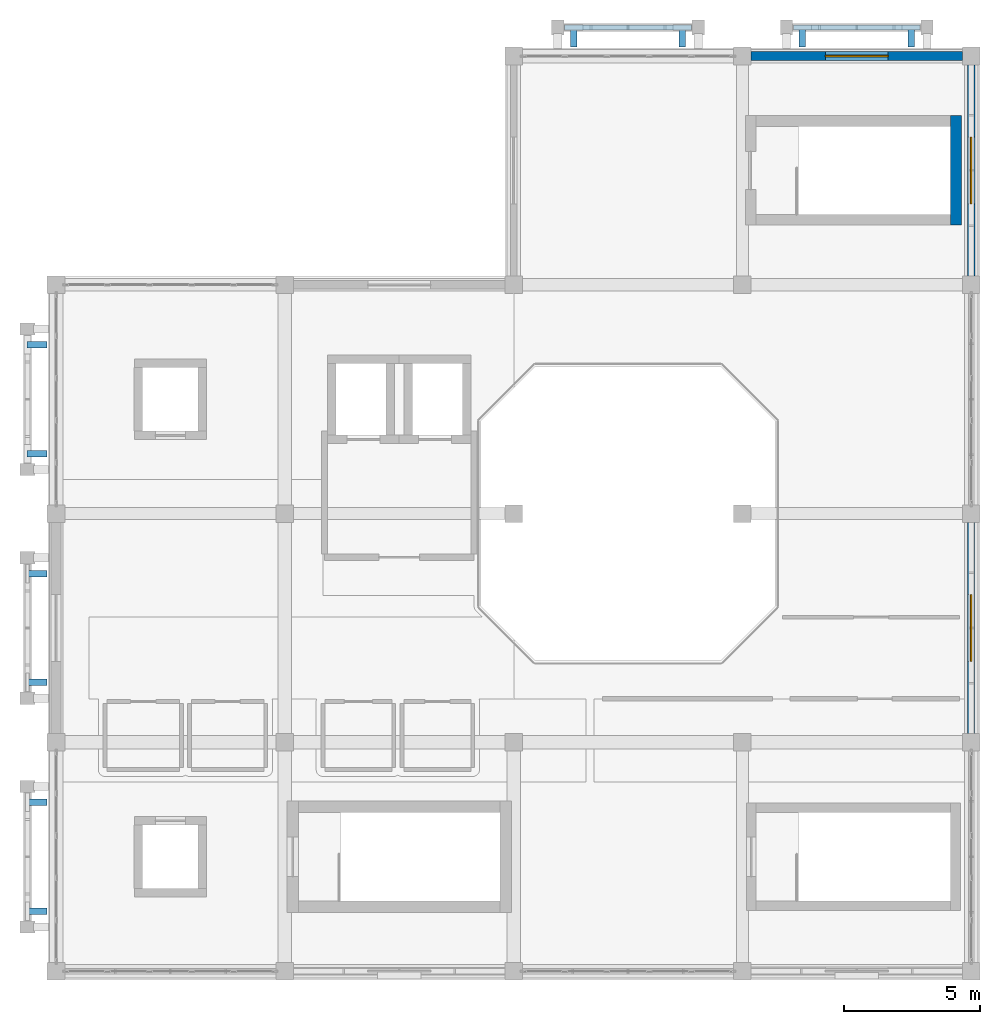
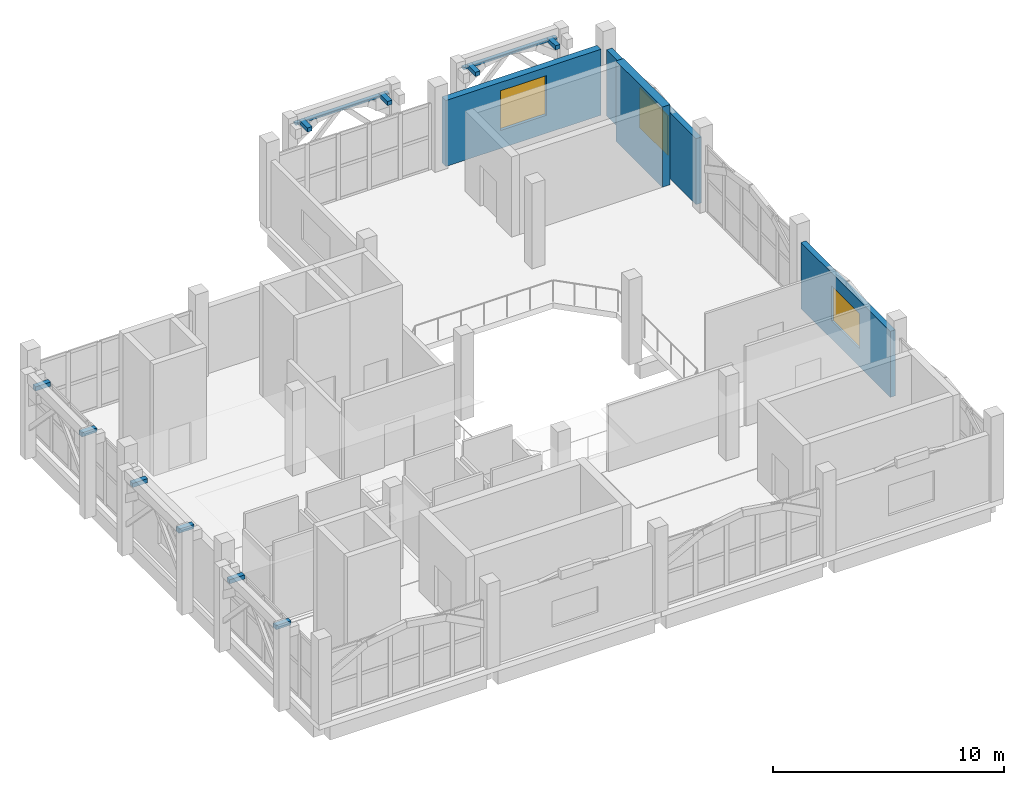
# One storey, part 15 of 16: 10 discrete accessories, 6 walls, 3 windows, 3 openings.
"""IFC4 building model written with IfcOpenShell, lengths in metres."""

import ifcopenshell
import ifcopenshell.guid

model = None  # the IFC model being written
_history = None  # IfcOwnerHistory: only IFC2X3 demands one
_inside = {}  # id of a spatial element -> (the spatial element, [elements in it])
_under = {}  # id of a project, library or spatial element -> (it, [spatial elements below it])
_declared = {}  # id of a project -> (the project, [libraries it declares])
_typed = {}  # id of a type object -> (the type object, [elements of that type])
_made_of = {}  # id of a material, layer set ... -> (it, [elements and type objects made of it])


def new_model(schema):
    """Start an empty IFC model of exactly this schema.

    Asked for "IFC4X3", IfcOpenShell would pick the latest addendum, in which some entities
    have other attributes; the version numbers below select the first issue.
    IFC2X3 requires an IfcOwnerHistory on every rooted entity: one is made here for all.
    """
    global model, _history
    if schema == "IFC4X3":
        model = ifcopenshell.file(schema_version=(4, 3, 0, 0))
    else:
        model = ifcopenshell.file(schema=schema)
    _inside.clear()
    _under.clear()
    _declared.clear()
    _typed.clear()
    _made_of.clear()
    _history = None
    if model.schema == "IFC2X3":
        org = make("IfcOrganization", Name="unknown")
        user = make(
            "IfcPersonAndOrganization",
            ThePerson=make("IfcPerson", FamilyName="unknown"),
            TheOrganization=org,
        )
        app = make(
            "IfcApplication",
            ApplicationDeveloper=org,
            Version="unknown",
            ApplicationFullName="unknown",
            ApplicationIdentifier="unknown",
        )
        _history = make(
            "IfcOwnerHistory",
            OwningUser=user,
            OwningApplication=app,
            ChangeAction="ADDED",
            CreationDate=0,
        )
    return model


def make(cls, **values):
    """One entity of the class cls with the attributes given. An attribute that is None is left unset."""
    return model.create_entity(
        cls, **{name: value for name, value in values.items() if value is not None}
    )


def rooted(cls, **values):
    """An entity with a GlobalId (a new one), such as an element, a storey or a relation."""
    return make(cls, GlobalId=ifcopenshell.guid.new(), OwnerHistory=_history, **values)


def si_unit(unit_type, name, prefix=None):
    """IfcSIUnit, for example si_unit("LENGTHUNIT", "METRE", prefix="MILLI")."""
    return make("IfcSIUnit", UnitType=unit_type, Prefix=prefix, Name=name)


def assignment(units):
    """IfcUnitAssignment: the units of a project."""
    return None if units is None else make("IfcUnitAssignment", Units=units)


def point(xyz):
    """IfcCartesianPoint."""
    return None if xyz is None else make("IfcCartesianPoint", Coordinates=xyz)


def direction(xyz):
    """IfcDirection."""
    return None if xyz is None else make("IfcDirection", DirectionRatios=xyz)


def frame(location, z_axis=None, x_axis=None):
    """IfcAxis2Placement3D, a coordinate frame: its origin and axes. An axis left out is left unset."""
    return make(
        "IfcAxis2Placement3D",
        Location=point(location),
        Axis=direction(z_axis),
        RefDirection=direction(x_axis),
    )


def frame_2d(location, x_axis=None):
    """IfcAxis2Placement2D, a coordinate frame in the plane: its origin and x axis."""
    return make(
        "IfcAxis2Placement2D", Location=point(location), RefDirection=direction(x_axis)
    )


def origin():
    """The frame at (0, 0, 0) with its axes left unset."""
    return frame((0.0, 0.0, 0.0))


def origin_2d():
    """The frame at (0, 0) in the plane with its x axis left unset."""
    return frame_2d((0.0, 0.0))


def place(relative_to, where):
    """IfcLocalPlacement: puts the frame where relative to a parent placement (None: the world)."""
    return make(
        "IfcLocalPlacement", PlacementRelTo=relative_to, RelativePlacement=where
    )


def context(
    kind, dimensions, precision=None, world=None, true_north=None, identifier=None
):
    """IfcGeometricRepresentationContext, for example the 3D "Model" context."""
    return make(
        "IfcGeometricRepresentationContext",
        ContextIdentifier=identifier,
        ContextType=kind,
        CoordinateSpaceDimension=dimensions,
        Precision=precision,
        WorldCoordinateSystem=world,
        TrueNorth=true_north,
    )


def subcontext(parent, identifier, kind, view, scale=None):
    """IfcGeometricRepresentationSubContext, for example "Body" below "Model"."""
    return make(
        "IfcGeometricRepresentationSubContext",
        ContextIdentifier=identifier,
        ContextType=kind,
        ParentContext=parent,
        TargetScale=scale,
        TargetView=view,
    )


def project(units=None, contexts=None):
    """IfcProject with its units and contexts."""
    return rooted(
        "IfcProject",
        Name="project",
        RepresentationContexts=contexts,
        UnitsInContext=assignment(units),
    )


def spatial(cls, under=None, at=None, **own):
    """A site, building, storey or space (cls), placed at a placement, below another one or the project."""
    s = rooted(cls, ObjectPlacement=at, **own)
    if under is not None:
        _under.setdefault(under.id(), (under, []))[1].append(s)
    return s


def profile(cls, at=None, kind="AREA", **sizes):
    """A parametric profile (cls). Its sizes go by their IFC names, for example OverallWidth=200.0."""
    return make(cls, ProfileType=kind, Position=at, **sizes)


def rectangle(**sizes):
    """IfcRectangleProfileDef."""
    return profile("IfcRectangleProfileDef", **sizes)


def extrude(swept, where, along, depth):
    """IfcExtrudedAreaSolid: the profile swept, set in the frame where, extruded along a direction by depth."""
    return make(
        "IfcExtrudedAreaSolid",
        SweptArea=swept,
        Position=where,
        ExtrudedDirection=direction(along),
        Depth=depth,
    )


def shape(context_of_items, identifier, shape_type, items):
    """IfcShapeRepresentation: the items that make up one representation, for example the "Body"."""
    return make(
        "IfcShapeRepresentation",
        ContextOfItems=context_of_items,
        RepresentationIdentifier=identifier,
        RepresentationType=shape_type,
        Items=items,
    )


def material(Name=None, Category=None):
    """IfcMaterial."""
    return make("IfcMaterial", Name=Name, Category=Category)


def layer(
    of_material, thickness, ventilated=None, Name=None, Category=None, Priority=None
):
    """IfcMaterialLayer: one layer of a wall or slab, of a material (None: an air gap)."""
    return make(
        "IfcMaterialLayer",
        Material=of_material,
        LayerThickness=thickness,
        IsVentilated=ventilated,
        Name=Name,
        Category=Category,
        Priority=Priority,
    )


def layer_set(layers, Name=None):
    """IfcMaterialLayerSet."""
    return make("IfcMaterialLayerSet", MaterialLayers=layers, LayerSetName=Name)


def made_of(thing, what):
    """Note that an element or type object is made of a material, layer set ...; save() writes the relation."""
    if what is not None:
        _made_of.setdefault(what.id(), (what, []))[1].append(thing)
    return thing


def type_object(cls, material=None, **own):
    """A type object (cls), such as IfcWallType, which elements share."""
    return made_of(rooted(cls, **own), material)


def element(
    cls,
    number,
    at=None,
    inside=None,
    cuts=None,
    type_object=None,
    material=None,
    context=None,
    identifier="Body",
    shape_type=None,
    held_by="IfcProductDefinitionShape",
    body=None,
    shapes=None,
    **own,
):
    """One element of the class cls, such as IfcWall. Its Tag is "e" and its number.

    at: its placement. inside: the storey or other place that contains it. cuts: it is an
    opening in that element (IfcRelVoidsElement). A single representation is given by context,
    identifier, shape_type and body (its items); several are given by shapes. held_by: the class
    of the entity that holds the representations. save() writes the other relations.
    """
    e = rooted(cls, Tag="e%d" % number, ObjectPlacement=at, **own)
    if body is not None:
        shapes = [shape(context, identifier, shape_type, body)]
    if shapes is not None:
        e.Representation = make(held_by, Representations=shapes)
    if inside is not None:
        _inside.setdefault(inside.id(), (inside, []))[1].append(e)
    if cuts is not None:
        rooted(
            "IfcRelVoidsElement", RelatingBuildingElement=cuts, RelatedOpeningElement=e
        )
    if type_object is not None:
        _typed.setdefault(type_object.id(), (type_object, []))[1].append(e)
    return made_of(e, material)


def fill(opening, filler):
    """IfcRelFillsElement: the door or window that sits in an opening."""
    return rooted(
        "IfcRelFillsElement",
        RelatingOpeningElement=opening,
        RelatedBuildingElement=filler,
    )


def aggregate(whole, parts):
    """IfcRelAggregates: a whole, such as a stair, and the parts it consists of."""
    return rooted("IfcRelAggregates", RelatingObject=whole, RelatedObjects=parts)


def save(model, path):
    """Write the relations noted so far, then the file.

    IfcRelAggregates (storeys below a building ...), IfcRelContainedInSpatialStructure (elements
    in a storey), IfcRelDefinesByType, IfcRelAssociatesMaterial and IfcRelDeclares: one each for
    every whole, place, type object, material and project.
    """
    for whole, parts in _under.values():
        aggregate(whole, parts)
    for where, things in _inside.values():
        rooted(
            "IfcRelContainedInSpatialStructure",
            RelatedElements=things,
            RelatingStructure=where,
        )
    for kind, things in _typed.values():
        rooted("IfcRelDefinesByType", RelatedObjects=things, RelatingType=kind)
    for what, things in _made_of.values():
        rooted("IfcRelAssociatesMaterial", RelatedObjects=things, RelatingMaterial=what)
    for by, libraries in _declared.values():
        rooted("IfcRelDeclares", RelatingContext=by, RelatedDefinitions=libraries)
    model.write(path)


model = new_model("IFC4")

# Units and contexts
model_context = context("Model", 3, precision=1e-05, world=origin(), true_north=direction((0.0, 1.0)))
body_context = subcontext(model_context, "Body", "Model", "MODEL_VIEW")
ifc_project = project(units=[si_unit("LENGTHUNIT", "METRE"), si_unit("AREAUNIT", "SQUARE_METRE"), si_unit("VOLUMEUNIT", "CUBIC_METRE"), si_unit("PLANEANGLEUNIT", "RADIAN"), si_unit("MASSUNIT", "GRAM", prefix="KILO")], contexts=[model_context])

# Site, building, storey
site_placement = place(None, origin())
site = spatial("IfcSite", under=ifc_project, at=site_placement, CompositionType="ELEMENT")
building_placement = place(site_placement, origin())
building = spatial("IfcBuilding", under=site, at=building_placement, Name="Xazarin Passage Department Store", CompositionType="ELEMENT")
storey_placement = place(building_placement, frame((0.0, 0.0, 32.39990234375)))
storey = spatial("IfcBuildingStorey", under=building, at=storey_placement, Name="L07", CompositionType="ELEMENT", Elevation=32.39990234375)

# Wall, opening, window
ifc_material_1 = material(Name="Precast concrete C40/50", Category="concrete")
ifc_layer_1 = layer(ifc_material_1, 0.260009765625)
ifc_layer_set_1 = layer_set([ifc_layer_1], Name="Precast concrete C40/50")
wall_type_1 = type_object("IfcWallType", Name="ARC-W-EXT260", PredefinedType="SOLIDWALL", material=ifc_layer_set_1)
wall_1_placement = place(storey_placement, frame((33.60009765625, 85.125, 0.0), z_axis=(0.0, 0.0, 1.0), x_axis=(0.0, 1.0, 0.0)))
wall_1 = element("IfcWall", 1, at=wall_1_placement, inside=storey, type_object=wall_type_1, Name="L07 V1 Exterior Wall 085", PredefinedType="SOLIDWALL", context=body_context, shape_type="SweptSolid", body=[
    extrude(rectangle(XDim=7.75, YDim=0.260009765625, at=frame_2d((3.875, 0.0))), origin(), (0.0, 0.0, 1.0), 3.489990234375),
])
opening_1_placement = place(wall_1_placement, frame((2.64990234375, 0.0, 0.949951171875)))
opening_1 = element("IfcOpeningElement", 2, at=opening_1_placement, cuts=wall_1, Name="Opening W43", PredefinedType="OPENING", context=body_context, shape_type="SweptSolid", body=[
    extrude(rectangle(XDim=2.449951171875, YDim=1.85009765625, at=frame_2d((1.22509765625, 0.925048828125))), frame((0.0, 0.139892578125, 0.0), z_axis=(0.0, -1.0, 0.0), x_axis=(1.0, 0.0, 0.0)), (0.0, 0.0, 1.0), 0.280029296875),
])
ifc_material_2 = material(Name="Low-E laminated safety glass", Category="glass")
window_type_1 = type_object("IfcWindowType", Name="ARC-WIN-W43", PartitioningType="DOUBLE_PANEL_VERTICAL", PredefinedType="WINDOW", material=ifc_material_2)
window_1_placement = place(opening_1_placement, origin())
window_1 = element("IfcWindow", 3, at=window_1_placement, inside=storey, type_object=window_type_1, Name="L07 V1 Facade Window 0043", OverallHeight=1.85009765625, OverallWidth=2.449951171875, PartitioningType="DOUBLE_PANEL_VERTICAL", PredefinedType="WINDOW", context=body_context, shape_type="SweptSolid", body=[
    extrude(rectangle(XDim=2.449951171875, YDim=1.85009765625, at=frame_2d((1.22509765625, 0.925048828125))), frame((0.0, 0.030029296875, 0.0), z_axis=(0.0, -1.0, 0.0), x_axis=(1.0, 0.0, 0.0)), (0.0, 0.0, 1.0), 0.06005859375),
])
fill(opening_1, window_1)

ifc_layer_2 = layer(ifc_material_1, 0.280029296875)
ifc_layer_set_2 = layer_set([ifc_layer_2], Name="Precast concrete C40/50")
wall_type_2 = type_object("IfcWallType", Name="ARC-W-EXT280", PredefinedType="SOLIDWALL", material=ifc_layer_set_2)
wall_2_placement = place(storey_placement, frame((33.60009765625, 101.925048828125, 0.0), z_axis=(0.0, 0.0, 1.0), x_axis=(0.0, 1.0, 0.0)))
wall_2 = element("IfcWall", 4, at=wall_2_placement, inside=storey, type_object=wall_type_2, Name="L07 V1 Exterior Wall 086", PredefinedType="SOLIDWALL", context=body_context, shape_type="SweptSolid", body=[
    extrude(rectangle(XDim=7.75, YDim=0.280029296875, at=frame_2d((3.875, 0.0))), origin(), (0.0, 0.0, 1.0), 3.489990234375),
])
opening_2_placement = place(wall_2_placement, frame((2.64990234375, 0.0, 0.949951171875)))
opening_2 = element("IfcOpeningElement", 5, at=opening_2_placement, cuts=wall_2, Name="Opening W44", PredefinedType="OPENING", context=body_context, shape_type="SweptSolid", body=[
    extrude(rectangle(XDim=2.449951171875, YDim=2.10009765625, at=frame_2d((1.22509765625, 1.050048828125))), frame((0.0, 0.14990234375, 0.0), z_axis=(0.0, -1.0, 0.0), x_axis=(1.0, 0.0, 0.0)), (0.0, 0.0, 1.0), 0.300048828125),
])
window_type_2 = type_object("IfcWindowType", Name="ARC-WIN-W44", PartitioningType="DOUBLE_PANEL_VERTICAL", PredefinedType="WINDOW", material=ifc_material_2)
window_2_placement = place(opening_2_placement, origin())
window_2 = element("IfcWindow", 6, at=window_2_placement, inside=storey, type_object=window_type_2, Name="L07 V1 Facade Window 0044", OverallHeight=2.10009765625, OverallWidth=2.449951171875, PartitioningType="DOUBLE_PANEL_VERTICAL", PredefinedType="WINDOW", context=body_context, shape_type="SweptSolid", body=[
    extrude(rectangle(XDim=2.449951171875, YDim=2.10009765625, at=frame_2d((1.22509765625, 1.050048828125))), frame((0.0, 0.030029296875, 0.0), z_axis=(0.0, -1.0, 0.0), x_axis=(1.0, 0.0, 0.0)), (0.0, 0.0, 1.0), 0.06005859375),
])
fill(opening_2, window_2)

ifc_material_3 = material(Name="Absheron limestone cladding", Category="masonry")
ifc_layer_3 = layer(ifc_material_3, 0.340087890625)
ifc_layer_set_3 = layer_set([ifc_layer_3], Name="Absheron limestone cladding")
wall_type_3 = type_object("IfcWallType", Name="ARC-W-EXT340", PredefinedType="SOLIDWALL", material=ifc_layer_set_3)
wall_3_placement = place(storey_placement, frame((25.52490234375, 110.0, 0.0), z_axis=(0.0, 0.0, 1.0), x_axis=(1.0, 0.0, 0.0)))
wall_3 = element("IfcWall", 7, at=wall_3_placement, inside=storey, type_object=wall_type_3, Name="L07 V1 Exterior Wall 082", PredefinedType="SOLIDWALL", context=body_context, shape_type="SweptSolid", body=[
    extrude(rectangle(XDim=7.75, YDim=0.340087890625, at=frame_2d((3.875, 0.0))), origin(), (0.0, 0.0, 1.0), 3.489990234375),
])
opening_3_placement = place(wall_3_placement, frame((2.72509765625, 0.0, 0.949951171875)))
opening_3 = element("IfcOpeningElement", 8, at=opening_3_placement, cuts=wall_3, Name="Opening W40", PredefinedType="OPENING", context=body_context, shape_type="SweptSolid", body=[
    extrude(rectangle(XDim=2.300048828125, YDim=2.10009765625, at=frame_2d((1.14990234375, 1.050048828125))), frame((0.0, 0.179931640625, 0.0), z_axis=(0.0, -1.0, 0.0), x_axis=(1.0, 0.0, 0.0)), (0.0, 0.0, 1.0), 0.360107421875),
])
window_type_3 = type_object("IfcWindowType", Name="ARC-WIN-W40", PartitioningType="DOUBLE_PANEL_VERTICAL", PredefinedType="WINDOW", material=ifc_material_2)
window_3_placement = place(opening_3_placement, origin())
window_3 = element("IfcWindow", 9, at=window_3_placement, inside=storey, type_object=window_type_3, Name="L07 V1 Facade Window 0040", OverallHeight=2.10009765625, OverallWidth=2.300048828125, PartitioningType="DOUBLE_PANEL_VERTICAL", PredefinedType="WINDOW", context=body_context, shape_type="SweptSolid", body=[
    extrude(rectangle(XDim=2.300048828125, YDim=2.10009765625, at=frame_2d((1.14990234375, 1.050048828125))), frame((0.0, 0.030029296875, 0.0), z_axis=(0.0, -1.0, 0.0), x_axis=(1.0, 0.0, 0.0)), (0.0, 0.0, 1.0), 0.06005859375),
])
fill(opening_3, window_3)

# Walls
ifc_layer_4 = layer(ifc_material_1, 0.18994140625)
ifc_layer_set_4 = layer_set([ifc_layer_4], Name="Precast concrete C40/50")
wall_type_4 = type_object("IfcWallType", Name="ARC-W-PAR190", PredefinedType="PARAPET", material=ifc_layer_set_4)
wall_4_placement = place(storey_placement, frame((18.669921875, 111.050048828125, 3.880126953125), z_axis=(0.0, 0.0, 1.0), x_axis=(1.0, 0.0, 0.0)))
element("IfcWall", 10, at=wall_4_placement, inside=storey, type_object=wall_type_4, Name="L07 V1 Pierced-Arch Spandrel Lintel 0008", PredefinedType="PARAPET", context=body_context, shape_type="SweptSolid", body=[
    extrude(rectangle(XDim=4.66015625, YDim=0.18994140625, at=frame_2d((2.330078125, 0.0))), origin(), (0.0, 0.0, 1.0), 0.119873046875),
])
wall_5_placement = place(storey_placement, frame((27.070068359375, 111.050048828125, 3.880126953125), z_axis=(0.0, 0.0, 1.0), x_axis=(1.0, 0.0, 0.0)))
element("IfcWall", 11, at=wall_5_placement, inside=storey, type_object=wall_type_4, Name="L07 V1 Pierced-Arch Spandrel Lintel 0016", PredefinedType="PARAPET", context=body_context, shape_type="SweptSolid", body=[
    extrude(rectangle(XDim=4.659912109375, YDim=0.18994140625, at=frame_2d((2.330078125, 0.0))), origin(), (0.0, 0.0, 1.0), 0.119873046875),
])
ifc_material_4 = material(Name="Concrete C40/50", Category="concrete")
ifc_layer_5 = layer(ifc_material_4, 0.389892578125)
ifc_layer_set_5 = layer_set([ifc_layer_5], Name="Concrete C40/50")
wall_type_5 = type_object("IfcWallType", Name="STR-W-SHR390", PredefinedType="SHEAR", material=ifc_layer_set_5)
wall_6_placement = place(storey_placement, frame((33.044921875, 103.7900390625, 0.0), z_axis=(0.0, 0.0, 1.0), x_axis=(0.0, 1.0, 0.0)))
element("IfcWall", 12, at=wall_6_placement, inside=storey, type_object=wall_type_5, Name="L07 Core K2 East Shear Wall", PredefinedType="SHEAR", context=body_context, shape_type="SweptSolid", body=[
    extrude(rectangle(XDim=4.02001953125, YDim=0.389892578125, at=frame_2d((2.010009765625, 0.0))), origin(), (0.0, 0.0, 1.0), 4.239990234375),
])

# Discrete accessories
ifc_material_5 = material(Name="Steel S355", Category="steel")
discrete_accessory_type = type_object("IfcDiscreteAccessoryType", Name="ARC-BRK-S355-B", PredefinedType="BRACKET", material=ifc_material_5)
for number, where, z_axis, x_axis, name in (
    (13, (19.0, 110.699951171875, 3.84033203125), (0.0, 0.0, 1.0), (1.0, 0.0, 0.0), "L07 V1 Spandrel Tie Bracket 0015"),
    (14, (23.0, 110.699951171875, 3.84033203125), (0.0, 0.0, 1.0), (1.0, 0.0, 0.0), "L07 V1 Spandrel Tie Bracket 0016"),
    (15, (27.39990234375, 110.699951171875, 3.84033203125), (0.0, 0.0, 1.0), (1.0, 0.0, 0.0), "L07 V1 Spandrel Tie Bracket 0031"),
    (16, (31.39990234375, 110.699951171875, 3.84033203125), (0.0, 0.0, 1.0), (1.0, 0.0, 0.0), "L07 V1 Spandrel Tie Bracket 0032"),
    (17, (-0.699951171875, 78.60009765625, 3.84033203125), (0.0, 0.0, 1.0), (0.0, 1.0, 0.0), "L07 V1 Spandrel Tie Bracket 0107"),
    (18, (-0.699951171875, 82.60009765625, 3.84033203125), (0.0, 0.0, 1.0), (0.0, 1.0, 0.0), "L07 V1 Spandrel Tie Bracket 0108"),
    (19, (-0.699951171875, 87.0, 3.84033203125), (0.0, 0.0, 1.0), (0.0, 1.0, 0.0), "L07 V1 Spandrel Tie Bracket 0123"),
    (20, (-0.699951171875, 91.0, 3.84033203125), (0.0, 0.0, 1.0), (0.0, 1.0, 0.0), "L07 V1 Spandrel Tie Bracket 0124"),
    (21, (-0.699951171875, 95.39990234375, 3.84033203125), (0.0, 0.0, 1.0), (0.0, 1.0, 0.0), "L07 V1 Spandrel Tie Bracket 0139"),
    (22, (-0.699951171875, 99.39990234375, 3.84033203125), (0.0, 0.0, 1.0), (0.0, 1.0, 0.0), "L07 V1 Spandrel Tie Bracket 0140"),
):
    element("IfcDiscreteAccessory", number, at=place(storey_placement, frame(where, z_axis=z_axis, x_axis=x_axis)), inside=storey, type_object=discrete_accessory_type, Name=name, PredefinedType="BRACKET", context=body_context, shape_type="SweptSolid", body=[
        extrude(rectangle(XDim=0.239990234375, YDim=0.75, at=origin_2d()), origin(), (0.0, 0.0, 1.0), 0.219970703125),
    ])

save(model, "model.ifc")
